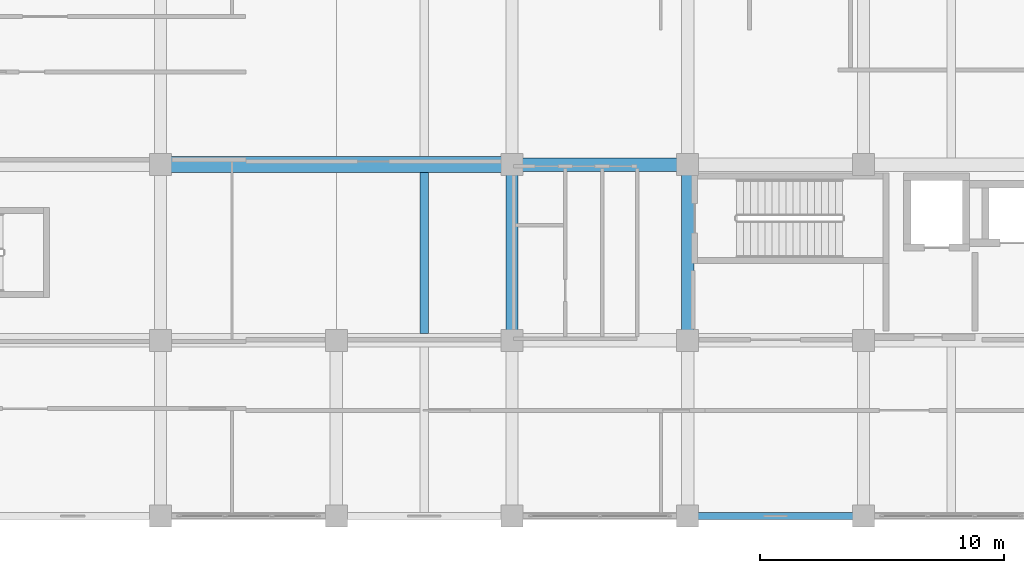
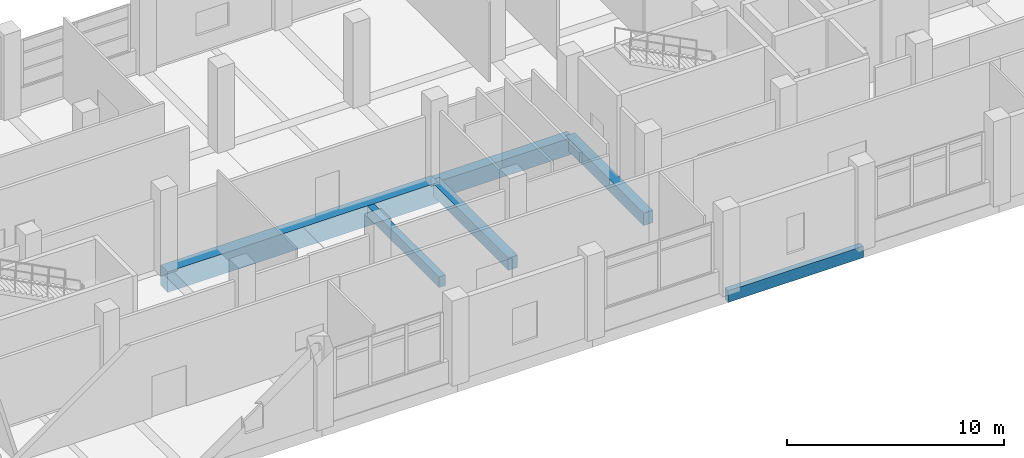
# One storey, part 33 of 181: 6 beams.
"""IFC4 building model written with IfcOpenShell, lengths in metres."""

from ifc_helpers import new_model, si_unit, direction, frame, origin, origin_2d, place, context, subcontext, project, spatial, rectangle, extrude, material, material_profile, profile_set, type_object, element, save


model = new_model("IFC4")

# Units and contexts
model_context = context("Model", 3, precision=1e-05, world=origin(), true_north=direction((0.0, 1.0)))
body_context = subcontext(model_context, "Body", "Model", "MODEL_VIEW")
ifc_project = project(units=[si_unit("LENGTHUNIT", "METRE"), si_unit("AREAUNIT", "SQUARE_METRE"), si_unit("VOLUMEUNIT", "CUBIC_METRE"), si_unit("PLANEANGLEUNIT", "RADIAN"), si_unit("MASSUNIT", "GRAM", prefix="KILO")], contexts=[model_context])

# Site, building, storey
site_placement = place(None, origin())
site = spatial("IfcSite", under=ifc_project, at=site_placement, CompositionType="ELEMENT")
building_placement = place(site_placement, origin())
building = spatial("IfcBuilding", under=site, at=building_placement, Name="Seraya Terrace Polytechnic", CompositionType="ELEMENT")
storey_placement = place(building_placement, frame((0.0, 0.0, 4.800048828125)))
storey = spatial("IfcBuildingStorey", under=building, at=storey_placement, Name="L01", CompositionType="ELEMENT", Elevation=4.800048828125)

# Beams
ifc_material = material(Name="Concrete C40/50", Category="concrete")
ifc_material_profile_1 = material_profile(ifc_material, rectangle(XDim=0.64990234375, YDim=1.14990234375, at=origin_2d()), Name="RC 650x1150")
ifc_profile_set_1 = profile_set([ifc_material_profile_1], Name="Concrete C40/50")
beam_type_1 = type_object("IfcBeamType", Name="BG-02", PredefinedType="USERDEFINED", material=ifc_profile_set_1)
beam_1_placement = place(storey_placement, frame((57.60009765625, 14.39990234375, -0.574951171875), z_axis=(1.0, 0.0, 0.0), x_axis=(0.0, 1.0, 0.0)))
element("IfcBeam", 1, at=beam_1_placement, inside=storey, type_object=beam_type_1, Name="Beam BG-02 L01 X (57.6..72.0, 14.4)", ObjectType="GIRDER", PredefinedType="USERDEFINED", context=body_context, shape_type="SweptSolid", body=[
    extrude(rectangle(XDim=0.64990234375, YDim=1.14990234375, at=origin_2d()), origin(), (0.0, 0.0, 1.0), 14.39990234375),
])
ifc_material_profile_2 = material_profile(ifc_material, rectangle(XDim=0.550048828125, YDim=0.949951171875, at=origin_2d()), Name="RC 550x950")
ifc_profile_set_2 = profile_set([ifc_material_profile_2], Name="Concrete C40/50")
beam_type_2 = type_object("IfcBeamType", Name="BM-03", PredefinedType="BEAM", material=ifc_profile_set_2)
beam_2_placement = place(storey_placement, frame((72.0, 14.39990234375, -0.47509765625), z_axis=(1.0, 0.0, 0.0), x_axis=(0.0, 1.0, 0.0)))
element("IfcBeam", 2, at=beam_2_placement, inside=storey, type_object=beam_type_2, Name="Beam BM-03 L01 X (72.0..79.2, 14.4)", PredefinedType="BEAM", context=body_context, shape_type="SweptSolid", body=[
    extrude(rectangle(XDim=0.550048828125, YDim=0.949951171875, at=origin_2d()), origin(), (0.0, 0.0, 1.0), 7.199951171875),
])
ifc_material_profile_3 = material_profile(ifc_material, rectangle(XDim=0.5, YDim=0.699951171875, at=origin_2d()), Name="RC 500x700")
ifc_profile_set_3 = profile_set([ifc_material_profile_3], Name="Concrete C40/50")
beam_type_3 = type_object("IfcBeamType", Name="BM-07", PredefinedType="BEAM", material=ifc_profile_set_3)
for number, where, z_axis, x_axis, name in (
    (3, (72.0, 7.199951171875, -0.35009765625), (0.0, 1.0, 0.0), (-1.0, 0.0, 0.0), "Beam BM-07 L01 Y (72.0, 7.2..14.4)"),
    (4, (79.199951171875, 7.199951171875, -0.35009765625), (0.0, 1.0, 0.0), (-1.0, 0.0, 0.0), "Beam BM-07 L01 Y (79.2, 7.2..14.4)"),
):
    element("IfcBeam", number, at=place(storey_placement, frame(where, z_axis=z_axis, x_axis=x_axis)), inside=storey, type_object=beam_type_3, Name=name, PredefinedType="BEAM", context=body_context, shape_type="SweptSolid", body=[
        extrude(rectangle(XDim=0.5, YDim=0.699951171875, at=origin_2d()), origin(), (0.0, 0.0, 1.0), 7.199951171875),
    ])
ifc_material_profile_4 = material_profile(ifc_material, rectangle(XDim=0.35009765625, YDim=0.60009765625, at=origin_2d()), Name="RC 350x600")
ifc_profile_set_4 = profile_set([ifc_material_profile_4], Name="Concrete C40/50")
beam_type_4 = type_object("IfcBeamType", Name="JS-02", PredefinedType="JOIST", material=ifc_profile_set_4)
beam_3_placement = place(storey_placement, frame((68.39990234375, 7.47509765625, -0.300048828125), z_axis=(0.0, 1.0, 0.0), x_axis=(-1.0, 0.0, 0.0)))
element("IfcBeam", 5, at=beam_3_placement, inside=storey, type_object=beam_type_4, Name="Secondary joist JS-02 L01", PredefinedType="JOIST", context=body_context, shape_type="SweptSolid", body=[
    extrude(rectangle(XDim=0.35009765625, YDim=0.60009765625, at=origin_2d()), origin(), (0.0, 0.0, 1.0), 6.599853515625),
])
ifc_material_profile_5 = material_profile(ifc_material, rectangle(XDim=0.300048828125, YDim=0.64990234375, at=origin_2d()), Name="RC 300x650")
ifc_profile_set_5 = profile_set([ifc_material_profile_5], Name="Concrete C40/50")
beam_type_5 = type_object("IfcBeamType", Name="SP-01", PredefinedType="SPANDREL", material=ifc_profile_set_5)
beam_4_placement = place(storey_placement, frame((79.199951171875, 0.0, -0.324951171875), z_axis=(1.0, 0.0, 0.0), x_axis=(0.0, 1.0, 0.0)))
element("IfcBeam", 6, at=beam_4_placement, inside=storey, type_object=beam_type_5, Name="Beam SP-01 L01 X (79.2..86.4, 0.0)", PredefinedType="SPANDREL", context=body_context, shape_type="SweptSolid", body=[
    extrude(rectangle(XDim=0.300048828125, YDim=0.64990234375, at=origin_2d()), origin(), (0.0, 0.0, 1.0), 7.199951171875),
])

save(model, "model.ifc")
